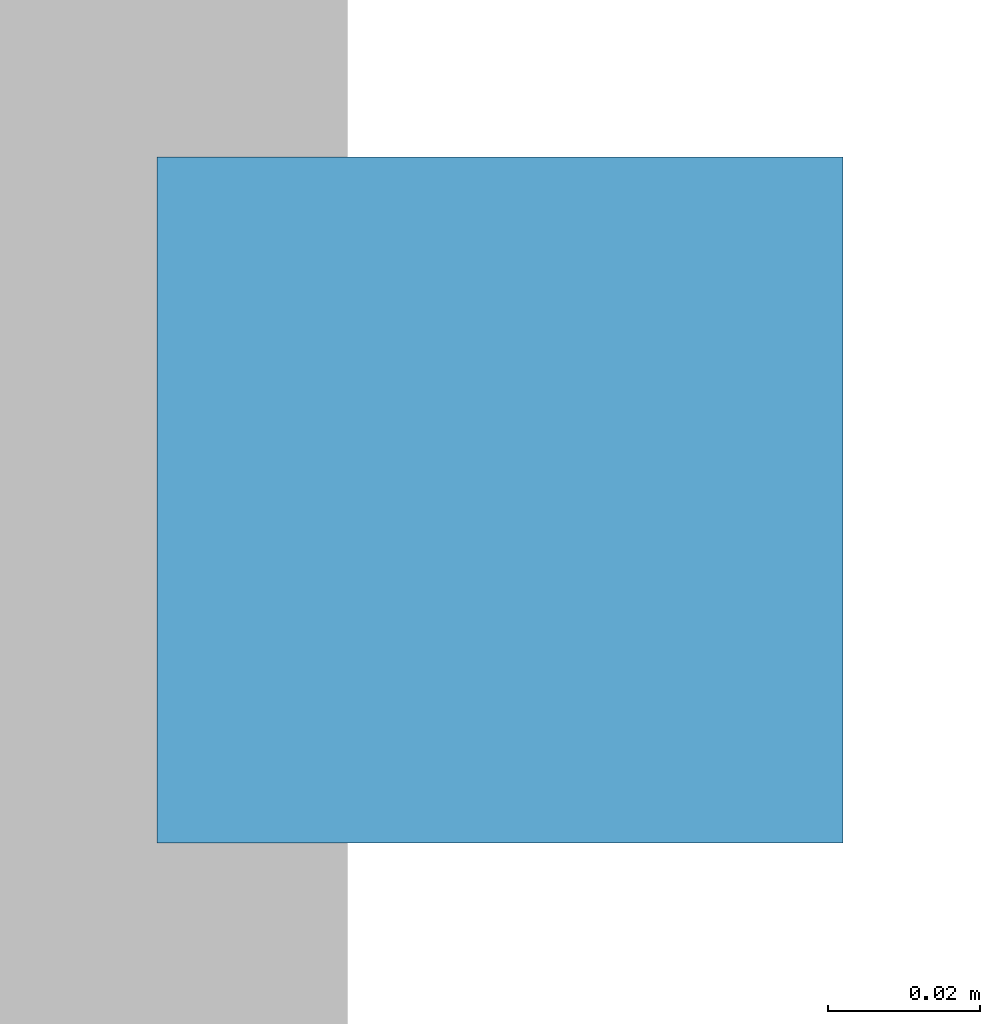
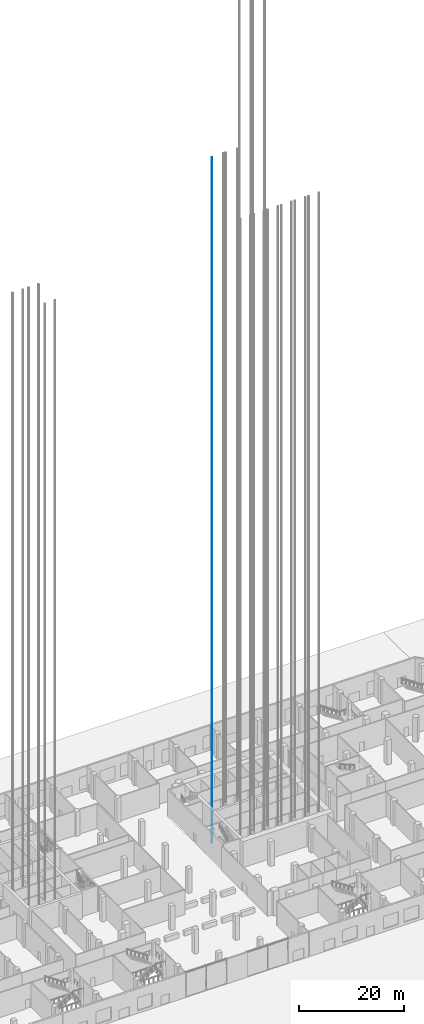
# One storey, part 24 of 55: 1 member.
"""IFC4 building model written with IfcOpenShell, lengths in metres."""

from ifc_helpers import new_model, si_unit, direction, frame, origin, origin_2d, place, context, subcontext, project, spatial, rectangle, extrude, material, material_profile, profile_set, type_object, element, save


model = new_model("IFC4")

# Units and contexts
model_context = context("Model", 3, precision=1e-05, world=origin(), true_north=direction((0.0, 1.0)))
body_context = subcontext(model_context, "Body", "Model", "MODEL_VIEW")
ifc_project = project(units=[si_unit("LENGTHUNIT", "METRE"), si_unit("AREAUNIT", "SQUARE_METRE"), si_unit("VOLUMEUNIT", "CUBIC_METRE"), si_unit("PLANEANGLEUNIT", "RADIAN"), si_unit("MASSUNIT", "GRAM", prefix="KILO")], contexts=[model_context])

# Site, building, storey
site_placement = place(None, origin())
site = spatial("IfcSite", under=ifc_project, at=site_placement, CompositionType="ELEMENT")
building_placement = place(site_placement, origin())
building = spatial("IfcBuilding", under=site, at=building_placement, Name="Cinnabar Reach Civic Tower", CompositionType="ELEMENT")
storey_placement = place(building_placement, origin())
storey = spatial("IfcBuildingStorey", under=building, at=storey_placement, Name="L00", CompositionType="ELEMENT", Elevation=0.0)

# Member
ifc_material = material(Name="Steel Q355B", Category="steel")
ifc_material_profile = material_profile(ifc_material, rectangle(XDim=0.09, YDim=0.09, at=origin_2d()), Name="T1 lift guide rail")
ifc_profile_set = profile_set([ifc_material_profile], Name="Steel Q355B")
member_type = type_object("IfcMemberType", Name="T1 lift guide rail", PredefinedType="USERDEFINED", material=ifc_profile_set)
member_placement = place(storey_placement, frame((4.72, 33.0, -2.5), z_axis=(0.0, 0.0, 1.0), x_axis=(1.0, 0.0, 0.0)))
element("IfcMember", 1, at=member_placement, inside=storey, type_object=member_type, Name="T1-SH1 guide rail 1", ObjectType="GUIDE RAIL", PredefinedType="USERDEFINED", context=body_context, shape_type="SweptSolid", body=[
    extrude(rectangle(XDim=0.09, YDim=0.09, at=origin_2d()), origin(), (0.0, 0.0, 1.0), 158.9),
])

save(model, "model.ifc")
